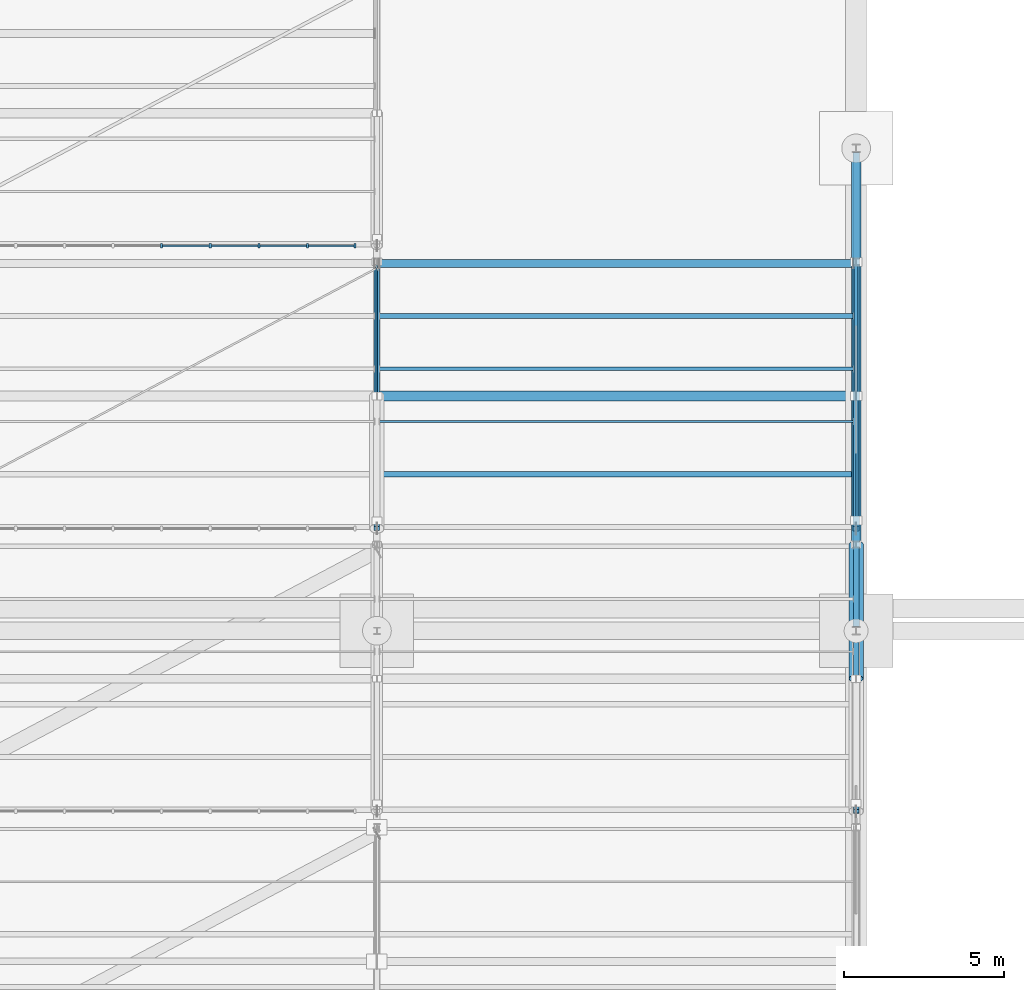
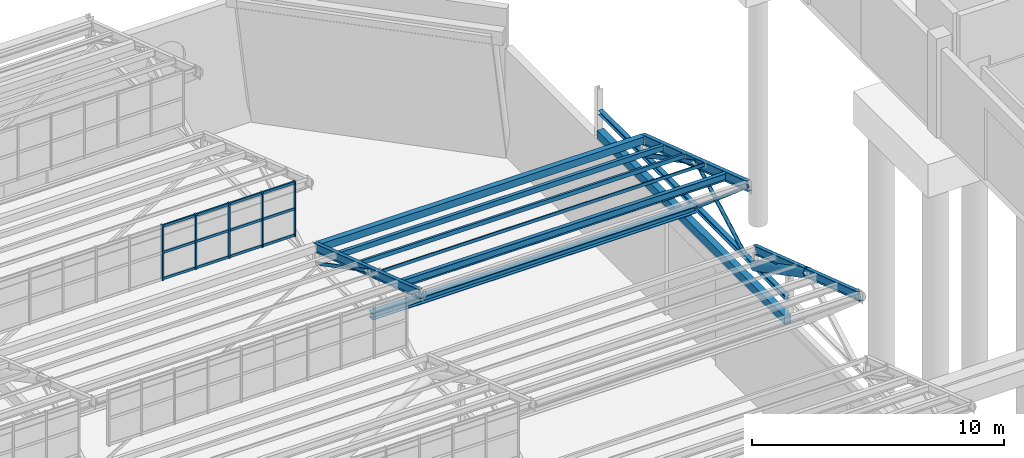
# One storey, part 125 of 285: 23 members, 10 beams, 1 element without a shape of its own.
"""IFC4 building model written with IfcOpenShell, lengths in metres."""

import ifcopenshell
import ifcopenshell.guid

model = None  # the IFC model being written
_history = None  # IfcOwnerHistory: only IFC2X3 demands one
_inside = {}  # id of a spatial element -> (the spatial element, [elements in it])
_under = {}  # id of a project, library or spatial element -> (it, [spatial elements below it])
_declared = {}  # id of a project -> (the project, [libraries it declares])
_typed = {}  # id of a type object -> (the type object, [elements of that type])
_made_of = {}  # id of a material, layer set ... -> (it, [elements and type objects made of it])


def new_model(schema):
    """Start an empty IFC model of exactly this schema.

    Asked for "IFC4X3", IfcOpenShell would pick the latest addendum, in which some entities
    have other attributes; the version numbers below select the first issue.
    IFC2X3 requires an IfcOwnerHistory on every rooted entity: one is made here for all.
    """
    global model, _history
    if schema == "IFC4X3":
        model = ifcopenshell.file(schema_version=(4, 3, 0, 0))
    else:
        model = ifcopenshell.file(schema=schema)
    _inside.clear()
    _under.clear()
    _declared.clear()
    _typed.clear()
    _made_of.clear()
    _history = None
    if model.schema == "IFC2X3":
        org = make("IfcOrganization", Name="unknown")
        user = make(
            "IfcPersonAndOrganization",
            ThePerson=make("IfcPerson", FamilyName="unknown"),
            TheOrganization=org,
        )
        app = make(
            "IfcApplication",
            ApplicationDeveloper=org,
            Version="unknown",
            ApplicationFullName="unknown",
            ApplicationIdentifier="unknown",
        )
        _history = make(
            "IfcOwnerHistory",
            OwningUser=user,
            OwningApplication=app,
            ChangeAction="ADDED",
            CreationDate=0,
        )
    return model


def make(cls, **values):
    """One entity of the class cls with the attributes given. An attribute that is None is left unset."""
    return model.create_entity(
        cls, **{name: value for name, value in values.items() if value is not None}
    )


def rooted(cls, **values):
    """An entity with a GlobalId (a new one), such as an element, a storey or a relation."""
    return make(cls, GlobalId=ifcopenshell.guid.new(), OwnerHistory=_history, **values)


def si_unit(unit_type, name, prefix=None):
    """IfcSIUnit, for example si_unit("LENGTHUNIT", "METRE", prefix="MILLI")."""
    return make("IfcSIUnit", UnitType=unit_type, Prefix=prefix, Name=name)


def assignment(units):
    """IfcUnitAssignment: the units of a project."""
    return None if units is None else make("IfcUnitAssignment", Units=units)


def point(xyz):
    """IfcCartesianPoint."""
    return None if xyz is None else make("IfcCartesianPoint", Coordinates=xyz)


def direction(xyz):
    """IfcDirection."""
    return None if xyz is None else make("IfcDirection", DirectionRatios=xyz)


def frame(location, z_axis=None, x_axis=None):
    """IfcAxis2Placement3D, a coordinate frame: its origin and axes. An axis left out is left unset."""
    return make(
        "IfcAxis2Placement3D",
        Location=point(location),
        Axis=direction(z_axis),
        RefDirection=direction(x_axis),
    )


def frame_2d(location, x_axis=None):
    """IfcAxis2Placement2D, a coordinate frame in the plane: its origin and x axis."""
    return make(
        "IfcAxis2Placement2D", Location=point(location), RefDirection=direction(x_axis)
    )


def origin():
    """The frame at (0, 0, 0) with its axes left unset."""
    return frame((0.0, 0.0, 0.0))


def origin_2d():
    """The frame at (0, 0) in the plane with its x axis left unset."""
    return frame_2d((0.0, 0.0))


def place(relative_to, where):
    """IfcLocalPlacement: puts the frame where relative to a parent placement (None: the world)."""
    return make(
        "IfcLocalPlacement", PlacementRelTo=relative_to, RelativePlacement=where
    )


def context(
    kind, dimensions, precision=None, world=None, true_north=None, identifier=None
):
    """IfcGeometricRepresentationContext, for example the 3D "Model" context."""
    return make(
        "IfcGeometricRepresentationContext",
        ContextIdentifier=identifier,
        ContextType=kind,
        CoordinateSpaceDimension=dimensions,
        Precision=precision,
        WorldCoordinateSystem=world,
        TrueNorth=true_north,
    )


def subcontext(parent, identifier, kind, view, scale=None):
    """IfcGeometricRepresentationSubContext, for example "Body" below "Model"."""
    return make(
        "IfcGeometricRepresentationSubContext",
        ContextIdentifier=identifier,
        ContextType=kind,
        ParentContext=parent,
        TargetScale=scale,
        TargetView=view,
    )


def project(units=None, contexts=None):
    """IfcProject with its units and contexts."""
    return rooted(
        "IfcProject",
        Name="project",
        RepresentationContexts=contexts,
        UnitsInContext=assignment(units),
    )


def spatial(cls, under=None, at=None, **own):
    """A site, building, storey or space (cls), placed at a placement, below another one or the project."""
    s = rooted(cls, ObjectPlacement=at, **own)
    if under is not None:
        _under.setdefault(under.id(), (under, []))[1].append(s)
    return s


def profile(cls, at=None, kind="AREA", **sizes):
    """A parametric profile (cls). Its sizes go by their IFC names, for example OverallWidth=200.0."""
    return make(cls, ProfileType=kind, Position=at, **sizes)


def rectangle(**sizes):
    """IfcRectangleProfileDef."""
    return profile("IfcRectangleProfileDef", **sizes)


def hollow_rectangle(**sizes):
    """IfcRectangleHollowProfileDef."""
    return profile("IfcRectangleHollowProfileDef", **sizes)


def hollow_circle(**sizes):
    """IfcCircleHollowProfileDef."""
    return profile("IfcCircleHollowProfileDef", **sizes)


def i_section(**sizes):
    """IfcIShapeProfileDef."""
    return profile("IfcIShapeProfileDef", **sizes)


def extrude(swept, where, along, depth):
    """IfcExtrudedAreaSolid: the profile swept, set in the frame where, extruded along a direction by depth."""
    return make(
        "IfcExtrudedAreaSolid",
        SweptArea=swept,
        Position=where,
        ExtrudedDirection=direction(along),
        Depth=depth,
    )


def shape(context_of_items, identifier, shape_type, items):
    """IfcShapeRepresentation: the items that make up one representation, for example the "Body"."""
    return make(
        "IfcShapeRepresentation",
        ContextOfItems=context_of_items,
        RepresentationIdentifier=identifier,
        RepresentationType=shape_type,
        Items=items,
    )


def material(Name=None, Category=None):
    """IfcMaterial."""
    return make("IfcMaterial", Name=Name, Category=Category)


def material_profile(
    of_material, cross_section, Name=None, Category=None, Priority=None
):
    """IfcMaterialProfile: a cross section and its material."""
    return make(
        "IfcMaterialProfile",
        Name=Name,
        Material=of_material,
        Profile=cross_section,
        Priority=Priority,
        Category=Category,
    )


def profile_set(profiles, Name=None, composite=None):
    """IfcMaterialProfileSet."""
    return make(
        "IfcMaterialProfileSet",
        Name=Name,
        MaterialProfiles=profiles,
        CompositeProfile=composite,
    )


def made_of(thing, what):
    """Note that an element or type object is made of a material, layer set ...; save() writes the relation."""
    if what is not None:
        _made_of.setdefault(what.id(), (what, []))[1].append(thing)
    return thing


def type_object(cls, material=None, **own):
    """A type object (cls), such as IfcWallType, which elements share."""
    return made_of(rooted(cls, **own), material)


def element(
    cls,
    number,
    at=None,
    inside=None,
    cuts=None,
    type_object=None,
    material=None,
    context=None,
    identifier="Body",
    shape_type=None,
    held_by="IfcProductDefinitionShape",
    body=None,
    shapes=None,
    **own,
):
    """One element of the class cls, such as IfcWall. Its Tag is "e" and its number.

    at: its placement. inside: the storey or other place that contains it. cuts: it is an
    opening in that element (IfcRelVoidsElement). A single representation is given by context,
    identifier, shape_type and body (its items); several are given by shapes. held_by: the class
    of the entity that holds the representations. save() writes the other relations.
    """
    e = rooted(cls, Tag="e%d" % number, ObjectPlacement=at, **own)
    if body is not None:
        shapes = [shape(context, identifier, shape_type, body)]
    if shapes is not None:
        e.Representation = make(held_by, Representations=shapes)
    if inside is not None:
        _inside.setdefault(inside.id(), (inside, []))[1].append(e)
    if cuts is not None:
        rooted(
            "IfcRelVoidsElement", RelatingBuildingElement=cuts, RelatedOpeningElement=e
        )
    if type_object is not None:
        _typed.setdefault(type_object.id(), (type_object, []))[1].append(e)
    return made_of(e, material)


def aggregate(whole, parts):
    """IfcRelAggregates: a whole, such as a stair, and the parts it consists of."""
    return rooted("IfcRelAggregates", RelatingObject=whole, RelatedObjects=parts)


def save(model, path):
    """Write the relations noted so far, then the file.

    IfcRelAggregates (storeys below a building ...), IfcRelContainedInSpatialStructure (elements
    in a storey), IfcRelDefinesByType, IfcRelAssociatesMaterial and IfcRelDeclares: one each for
    every whole, place, type object, material and project.
    """
    for whole, parts in _under.values():
        aggregate(whole, parts)
    for where, things in _inside.values():
        rooted(
            "IfcRelContainedInSpatialStructure",
            RelatedElements=things,
            RelatingStructure=where,
        )
    for kind, things in _typed.values():
        rooted("IfcRelDefinesByType", RelatedObjects=things, RelatingType=kind)
    for what, things in _made_of.values():
        rooted("IfcRelAssociatesMaterial", RelatedObjects=things, RelatingMaterial=what)
    for by, libraries in _declared.values():
        rooted("IfcRelDeclares", RelatingContext=by, RelatedDefinitions=libraries)
    model.write(path)


model = new_model("IFC4")

# Units and contexts
model_context = context("Model", 3, precision=1e-05, world=origin(), true_north=direction((0.0, 1.0)))
body_context = subcontext(model_context, "Body", "Model", "MODEL_VIEW")
ifc_project = project(units=[si_unit("LENGTHUNIT", "METRE"), si_unit("AREAUNIT", "SQUARE_METRE"), si_unit("VOLUMEUNIT", "CUBIC_METRE"), si_unit("PLANEANGLEUNIT", "RADIAN"), si_unit("MASSUNIT", "GRAM", prefix="KILO")], contexts=[model_context])

# Site, building, storey
site_placement = place(None, origin())
site = spatial("IfcSite", under=ifc_project, at=site_placement, CompositionType="ELEMENT")
building_placement = place(site_placement, origin())
building = spatial("IfcBuilding", under=site, at=building_placement, Name="Solanera Park Tramway Depot", CompositionType="ELEMENT")
storey_placement = place(building_placement, origin())
storey = spatial("IfcBuildingStorey", under=building, at=storey_placement, Name="L00", CompositionType="ELEMENT", Elevation=0.0)

# Curtain wall, members
ifc_material_1 = material(Name="Bronze-anodised thermally broken aluminium curtain wall", Category="aluminium")
curtain_wall_type = type_object("IfcCurtainWallType", Name="Sawtooth Clerestory Monitor Curtain Wall", PredefinedType="NOTDEFINED", material=ifc_material_1)
curtain_wall_placement = place(storey_placement, origin())
curtain_wall = element("IfcCurtainWall", 1, at=curtain_wall_placement, inside=storey, type_object=curtain_wall_type, Name="L00 Sawtooth Clerestory Monitor Curtain Wall #065", PredefinedType="NOTDEFINED")
ifc_material_2 = material(Name="Bronze-anodised structural aluminium 6063-T6", Category="aluminium")
ifc_material_profile_1 = material_profile(ifc_material_2, rectangle(XDim=0.06494140625, YDim=0.14990234375, at=origin_2d()), Name="Curtain Wall Mullion 65x150")
ifc_profile_set_1 = profile_set([ifc_material_profile_1], Name="Bronze-anodised structural aluminium 6063-T6")
member_type_1 = type_object("IfcMemberType", Name="Curtain Wall Mullion 65x150", PredefinedType="MULLION", material=ifc_profile_set_1)
member_1_placement = place(storey_placement, frame((128.260986328125, 126.550048828125, 7.75), z_axis=(0.0, 0.0, 1.0), x_axis=(1.0, 0.0, 0.0)))
member_1 = element("IfcMember", 2, at=member_1_placement, type_object=member_type_1, Name="CW-L00-065 Mullion 6", PredefinedType="MULLION", context=body_context, shape_type="SweptSolid", body=[
    extrude(rectangle(XDim=0.06494140625, YDim=0.14990234375, at=origin_2d()), origin(), (0.0, 0.0, 1.0), 2.6611328125),
])
member_2_placement = place(storey_placement, frame((129.783203125, 126.550048828125, 7.75), z_axis=(0.0, 0.0, 1.0), x_axis=(1.0, 0.0, 0.0)))
member_2 = element("IfcMember", 3, at=member_2_placement, type_object=member_type_1, Name="CW-L00-065 Mullion 7", PredefinedType="MULLION", context=body_context, shape_type="SweptSolid", body=[
    extrude(rectangle(XDim=0.06494140625, YDim=0.14990234375, at=origin_2d()), origin(), (0.0, 0.0, 1.0), 2.6611328125),
])
member_3_placement = place(storey_placement, frame((131.3056640625, 126.550048828125, 7.75), z_axis=(0.0, 0.0, 1.0), x_axis=(1.0, 0.0, 0.0)))
member_3 = element("IfcMember", 4, at=member_3_placement, type_object=member_type_1, Name="CW-L00-065 Mullion 8", PredefinedType="MULLION", context=body_context, shape_type="SweptSolid", body=[
    extrude(rectangle(XDim=0.06494140625, YDim=0.14990234375, at=origin_2d()), origin(), (0.0, 0.0, 1.0), 2.6611328125),
])
member_4_placement = place(storey_placement, frame((132.827880859375, 126.550048828125, 7.75), z_axis=(0.0, 0.0, 1.0), x_axis=(1.0, 0.0, 0.0)))
member_4 = element("IfcMember", 5, at=member_4_placement, type_object=member_type_1, Name="CW-L00-065 Mullion 9", PredefinedType="MULLION", context=body_context, shape_type="SweptSolid", body=[
    extrude(rectangle(XDim=0.06494140625, YDim=0.14990234375, at=origin_2d()), origin(), (0.0, 0.0, 1.0), 2.6611328125),
])
member_5_placement = place(storey_placement, frame((134.3173828125, 126.550048828125, 7.75), z_axis=(0.0, 0.0, 1.0), x_axis=(1.0, 0.0, 0.0)))
member_5 = element("IfcMember", 6, at=member_5_placement, type_object=member_type_1, Name="CW-L00-065 Mullion 10", PredefinedType="MULLION", context=body_context, shape_type="SweptSolid", body=[
    extrude(rectangle(XDim=0.06494140625, YDim=0.14990234375, at=origin_2d()), origin(), (0.0, 0.0, 1.0), 2.6611328125),
])
ifc_material_3 = material(Name="Bronze-anodised structural aluminium 6063-T6", Category="aluminium")
ifc_material_profile_2 = material_profile(ifc_material_3, rectangle(XDim=0.06494140625, YDim=0.1201171875, at=origin_2d()), Name="Curtain Wall Transom 65x120")
ifc_profile_set_2 = profile_set([ifc_material_profile_2], Name="Bronze-anodised structural aluminium 6063-T6")
member_type_2 = type_object("IfcMemberType", Name="Curtain Wall Transom 65x120", PredefinedType="USERDEFINED", material=ifc_profile_set_2)
member_6_placement = place(storey_placement, frame((128.2890625, 126.550048828125, 7.81005859375), z_axis=(1.0, 0.0, 0.0), x_axis=(0.0, 1.0, 0.0)))
member_6 = element("IfcMember", 7, at=member_6_placement, type_object=member_type_2, Name="CW-L00-065 Transom R1.C6", ObjectType="TRANSOM", PredefinedType="USERDEFINED", context=body_context, shape_type="SweptSolid", body=[
    extrude(rectangle(XDim=0.06494140625, YDim=0.1201171875, at=origin_2d()), origin(), (0.0, 0.0, 1.0), 1.46630859375),
])
member_7_placement = place(storey_placement, frame((129.811279296875, 126.550048828125, 7.81005859375), z_axis=(1.0, 0.0, 0.0), x_axis=(0.0, 1.0, 0.0)))
member_7 = element("IfcMember", 8, at=member_7_placement, type_object=member_type_2, Name="CW-L00-065 Transom R1.C7", ObjectType="TRANSOM", PredefinedType="USERDEFINED", context=body_context, shape_type="SweptSolid", body=[
    extrude(rectangle(XDim=0.06494140625, YDim=0.1201171875, at=origin_2d()), origin(), (0.0, 0.0, 1.0), 1.46630859375),
])
member_8_placement = place(storey_placement, frame((131.33349609375, 126.550048828125, 7.81005859375), z_axis=(1.0, 0.0, 0.0), x_axis=(0.0, 1.0, 0.0)))
member_8 = element("IfcMember", 9, at=member_8_placement, type_object=member_type_2, Name="CW-L00-065 Transom R1.C8", ObjectType="TRANSOM", PredefinedType="USERDEFINED", context=body_context, shape_type="SweptSolid", body=[
    extrude(rectangle(XDim=0.06494140625, YDim=0.1201171875, at=origin_2d()), origin(), (0.0, 0.0, 1.0), 1.46630859375),
])
member_9_placement = place(storey_placement, frame((132.855712890625, 126.550048828125, 7.81005859375), z_axis=(1.0, 0.0, 0.0), x_axis=(0.0, 1.0, 0.0)))
member_9 = element("IfcMember", 10, at=member_9_placement, type_object=member_type_2, Name="CW-L00-065 Transom R1.C9", ObjectType="TRANSOM", PredefinedType="USERDEFINED", context=body_context, shape_type="SweptSolid", body=[
    extrude(rectangle(XDim=0.06494140625, YDim=0.1201171875, at=origin_2d()), origin(), (0.0, 0.0, 1.0), 1.433837890625),
])
member_10_placement = place(storey_placement, frame((128.2890625, 126.550048828125, 9.08056640625), z_axis=(1.0, 0.0, 0.0), x_axis=(0.0, 1.0, 0.0)))
member_10 = element("IfcMember", 11, at=member_10_placement, type_object=member_type_2, Name="CW-L00-065 Transom R2.C6", ObjectType="TRANSOM", PredefinedType="USERDEFINED", context=body_context, shape_type="SweptSolid", body=[
    extrude(rectangle(XDim=0.06494140625, YDim=0.1201171875, at=origin_2d()), origin(), (0.0, 0.0, 1.0), 1.46630859375),
])
member_11_placement = place(storey_placement, frame((129.811279296875, 126.550048828125, 9.08056640625), z_axis=(1.0, 0.0, 0.0), x_axis=(0.0, 1.0, 0.0)))
member_11 = element("IfcMember", 12, at=member_11_placement, type_object=member_type_2, Name="CW-L00-065 Transom R2.C7", ObjectType="TRANSOM", PredefinedType="USERDEFINED", context=body_context, shape_type="SweptSolid", body=[
    extrude(rectangle(XDim=0.06494140625, YDim=0.1201171875, at=origin_2d()), origin(), (0.0, 0.0, 1.0), 1.46630859375),
])
member_12_placement = place(storey_placement, frame((131.33349609375, 126.550048828125, 9.08056640625), z_axis=(1.0, 0.0, 0.0), x_axis=(0.0, 1.0, 0.0)))
member_12 = element("IfcMember", 13, at=member_12_placement, type_object=member_type_2, Name="CW-L00-065 Transom R2.C8", ObjectType="TRANSOM", PredefinedType="USERDEFINED", context=body_context, shape_type="SweptSolid", body=[
    extrude(rectangle(XDim=0.06494140625, YDim=0.1201171875, at=origin_2d()), origin(), (0.0, 0.0, 1.0), 1.46630859375),
])
member_13_placement = place(storey_placement, frame((132.855712890625, 126.550048828125, 9.08056640625), z_axis=(1.0, 0.0, 0.0), x_axis=(0.0, 1.0, 0.0)))
member_13 = element("IfcMember", 14, at=member_13_placement, type_object=member_type_2, Name="CW-L00-065 Transom R2.C9", ObjectType="TRANSOM", PredefinedType="USERDEFINED", context=body_context, shape_type="SweptSolid", body=[
    extrude(rectangle(XDim=0.06494140625, YDim=0.1201171875, at=origin_2d()), origin(), (0.0, 0.0, 1.0), 1.433837890625),
])
member_14_placement = place(storey_placement, frame((128.2890625, 126.550048828125, 10.351318359375), z_axis=(1.0, 0.0, 0.0), x_axis=(0.0, 1.0, 0.0)))
member_14 = element("IfcMember", 15, at=member_14_placement, type_object=member_type_2, Name="CW-L00-065 Transom R3.C6", ObjectType="TRANSOM", PredefinedType="USERDEFINED", context=body_context, shape_type="SweptSolid", body=[
    extrude(rectangle(XDim=0.06494140625, YDim=0.1201171875, at=origin_2d()), origin(), (0.0, 0.0, 1.0), 1.46630859375),
])
member_15_placement = place(storey_placement, frame((129.811279296875, 126.550048828125, 10.351318359375), z_axis=(1.0, 0.0, 0.0), x_axis=(0.0, 1.0, 0.0)))
member_15 = element("IfcMember", 16, at=member_15_placement, type_object=member_type_2, Name="CW-L00-065 Transom R3.C7", ObjectType="TRANSOM", PredefinedType="USERDEFINED", context=body_context, shape_type="SweptSolid", body=[
    extrude(rectangle(XDim=0.06494140625, YDim=0.1201171875, at=origin_2d()), origin(), (0.0, 0.0, 1.0), 1.46630859375),
])
member_16_placement = place(storey_placement, frame((131.33349609375, 126.550048828125, 10.351318359375), z_axis=(1.0, 0.0, 0.0), x_axis=(0.0, 1.0, 0.0)))
member_16 = element("IfcMember", 17, at=member_16_placement, type_object=member_type_2, Name="CW-L00-065 Transom R3.C8", ObjectType="TRANSOM", PredefinedType="USERDEFINED", context=body_context, shape_type="SweptSolid", body=[
    extrude(rectangle(XDim=0.06494140625, YDim=0.1201171875, at=origin_2d()), origin(), (0.0, 0.0, 1.0), 1.46630859375),
])
member_17_placement = place(storey_placement, frame((132.855712890625, 126.550048828125, 10.351318359375), z_axis=(1.0, 0.0, 0.0), x_axis=(0.0, 1.0, 0.0)))
member_17 = element("IfcMember", 18, at=member_17_placement, type_object=member_type_2, Name="CW-L00-065 Transom R3.C9", ObjectType="TRANSOM", PredefinedType="USERDEFINED", context=body_context, shape_type="SweptSolid", body=[
    extrude(rectangle(XDim=0.06494140625, YDim=0.1201171875, at=origin_2d()), origin(), (0.0, 0.0, 1.0), 1.433837890625),
])
aggregate(curtain_wall, [member_1, member_2, member_3, member_4, member_5, member_6, member_7, member_8, member_9, member_10, member_11, member_12, member_13, member_14, member_15, member_16, member_17])

# Beam
ifc_material_4 = material(Name="Concrete N40 (C40/50)", Category="concrete")
ifc_material_profile_3 = material_profile(ifc_material_4, rectangle(XDim=0.300048828125, YDim=0.39990234375, at=origin_2d()), Name="LNT 300x400")
ifc_profile_set_3 = profile_set([ifc_material_profile_3], Name="Concrete N40 (C40/50)")
beam_type_1 = type_object("IfcBeamType", Name="Opening Lintel Beam LNT 300x400", PredefinedType="LINTEL", material=ifc_profile_set_3)
beam_1_placement = place(storey_placement, frame((150.0, 114.6201171875, 5.449951171875), z_axis=(0.0, 1.0, 0.0), x_axis=(-1.0, 0.0, 0.0)))
element("IfcBeam", 19, at=beam_1_placement, inside=storey, type_object=beam_type_1, Name="L00 Portal Transom Lintel LNT 300x400 #0301", PredefinedType="LINTEL", context=body_context, shape_type="SweptSolid", body=[
    extrude(rectangle(XDim=0.300048828125, YDim=0.39990234375, at=origin_2d()), origin(), (0.0, 0.0, 1.0), 14.85986328125),
])

# Members
ifc_material_5 = material(Name="Steel AS/NZS 1163 Grade C350L0", Category="steel")
ifc_material_profile_4 = material_profile(ifc_material_5, hollow_circle(Radius=0.084228515625, WallThickness=0.00634765625, at=origin_2d()), Name="168.3x6.4 CHS")
ifc_profile_set_4 = profile_set([ifc_material_profile_4], Name="Steel AS/NZS 1163 Grade C350L0")
member_type_3 = type_object("IfcMemberType", Name="Roof Gantry Compression Strut 168.3x6.4 CHS", PredefinedType="STRUT", material=ifc_profile_set_4)
member_18_placement = place(storey_placement, frame((150.0, 117.949951171875, 6.5), z_axis=(0.0, 0.874087581692, 0.485768359954), x_axis=(-1.0, 0.0, 0.0)))
element("IfcMember", 20, at=member_18_placement, inside=storey, type_object=member_type_3, Name="Sawtooth ROOF TRUSS Strut 168.3x6.4 CHS #0352", PredefinedType="STRUT", context=body_context, shape_type="SweptSolid", body=[
    extrude(hollow_circle(Radius=0.084228515625, WallThickness=0.00634765625, at=origin_2d()), origin(), (0.0, 0.0, 1.0), 4.4619140625),
])
ifc_material_6 = material(Name="Steel AS/NZS 3679.1 Grade 350", Category="steel")
ifc_material_profile_5 = material_profile(ifc_material_6, i_section(OverallWidth=0.310546875, OverallDepth=0.3271484375, WebThickness=0.015625, FlangeThickness=0.02490234375, at=origin_2d()), Name="310UC158")
ifc_profile_set_5 = profile_set([ifc_material_profile_5], Name="Steel AS/NZS 3679.1 Grade 350")
member_type_4 = type_object("IfcMemberType", Name="Secondary Truss Chord 310UC158", PredefinedType="CHORD", material=ifc_profile_set_5)
member_19_placement = place(storey_placement, frame((135.087890625, 121.85009765625, 6.5), z_axis=(1.0, 0.0, 0.0), x_axis=(0.0, 1.0, 0.0)))
element("IfcMember", 21, at=member_19_placement, inside=storey, type_object=member_type_4, Name="Sawtooth Longitudinal Tie Chord 310UC158 #0366", PredefinedType="CHORD", context=body_context, shape_type="SweptSolid", body=[
    extrude(i_section(OverallWidth=0.310546875, OverallDepth=0.3271484375, WebThickness=0.015625, FlangeThickness=0.02490234375, at=origin_2d()), origin(), (0.0, 0.0, 1.0), 14.82421875),
])

# Beams
ifc_material_7 = material(Name="Steel AS/NZS 3679.1 Grade 350", Category="steel")
ifc_material_profile_6 = material_profile(ifc_material_7, i_section(OverallWidth=0.205078125, OverallDepth=0.209716796875, WebThickness=0.00927734375, FlangeThickness=0.01416015625, at=origin_2d()), Name="200UC59.5")
ifc_profile_set_6 = profile_set([ifc_material_profile_6], Name="Steel AS/NZS 3679.1 Grade 350")
beam_type_2 = type_object("IfcBeamType", Name="Steel Beam 200UC59.5", PredefinedType="BEAM", material=ifc_profile_set_6)
beam_2_placement = place(storey_placement, frame((150.0, 114.627685546875, 6.5), z_axis=(0.0, 1.0, 0.0), x_axis=(-1.0, 0.0, 0.0)))
element("IfcBeam", 22, at=beam_2_placement, inside=storey, type_object=beam_type_2, Name="Sawtooth ROOF TRUSS Bottom Chord 200UC59.5 #0400", PredefinedType="BEAM", context=body_context, shape_type="SweptSolid", body=[
    extrude(i_section(OverallWidth=0.205078125, OverallDepth=0.209716796875, WebThickness=0.00927734375, FlangeThickness=0.01416015625, at=origin_2d()), origin(), (0.0, 0.0, 1.0), 14.845458984375),
])
ifc_material_8 = material(Name="Steel AS/NZS 3679.1 Grade 350", Category="steel")
ifc_material_profile_7 = material_profile(ifc_material_8, i_section(OverallWidth=0.177734375, OverallDepth=0.406494140625, WebThickness=0.0078125, FlangeThickness=0.0126953125, at=origin_2d()), Name="410UB59.7")
ifc_profile_set_7 = profile_set([ifc_material_profile_7], Name="Steel AS/NZS 3679.1 Grade 350")
beam_type_3 = type_object("IfcBeamType", Name="Steel Beam 410UB59.7", PredefinedType="BEAM", material=ifc_profile_set_7)
beam_3_placement = place(storey_placement, frame((150.0, 108.85009765625, 10.08154296875), z_axis=(0.0, 0.948319437663, -0.317317261034), x_axis=(-1.0, 0.0, 0.0)))
element("IfcBeam", 23, at=beam_3_placement, inside=storey, type_object=beam_type_3, Name="Sawtooth ROOF TRUSS Top Rafter 410UB59.7 B07-T11", PredefinedType="BEAM", context=body_context, shape_type="SweptSolid", body=[
    extrude(i_section(OverallWidth=0.177734375, OverallDepth=0.406494140625, WebThickness=0.0078125, FlangeThickness=0.0126953125, at=origin_2d()), origin(), (0.0, 0.0, 1.0), 8.804931640625),
])
beam_4_placement = place(storey_placement, frame((135.0, 117.699951171875, 10.08154296875), z_axis=(0.0, 0.948322229475, -0.317308917435), x_axis=(-1.0, 0.0, 0.0)))
element("IfcBeam", 24, at=beam_4_placement, inside=storey, type_object=beam_type_3, Name="Sawtooth ROOF TRUSS Top Rafter 410UB59.7 B08-T10", PredefinedType="BEAM", context=body_context, shape_type="SweptSolid", body=[
    extrude(i_section(OverallWidth=0.177734375, OverallDepth=0.406494140625, WebThickness=0.0078125, FlangeThickness=0.0126953125, at=origin_2d()), origin(), (0.0, 0.0, 1.0), 8.80517578125),
])
ifc_material_9 = material(Name="Steel AS/NZS 3679.1 Grade 350", Category="steel")
ifc_material_profile_8 = material_profile(ifc_material_9, i_section(OverallWidth=0.1904296875, OverallDepth=0.45751953125, WebThickness=0.009033203125, FlangeThickness=0.014404296875, at=origin_2d()), Name="460UB74.6")
ifc_profile_set_8 = profile_set([ifc_material_profile_8], Name="Steel AS/NZS 3679.1 Grade 350")
beam_type_4 = type_object("IfcBeamType", Name="Steel Beam 460UB74.6", PredefinedType="BEAM", material=ifc_profile_set_8)
beam_5_placement = place(storey_placement, frame((150.0, 117.699951171875, 10.05615234375), z_axis=(0.0, 0.948322229475, -0.317308917435), x_axis=(-1.0, 0.0, 0.0)))
element("IfcBeam", 25, at=beam_5_placement, inside=storey, type_object=beam_type_4, Name="Sawtooth ROOF TRUSS Top Rafter 460UB74.6 B08-T11", PredefinedType="BEAM", context=body_context, shape_type="SweptSolid", body=[
    extrude(i_section(OverallWidth=0.1904296875, OverallDepth=0.45751953125, WebThickness=0.009033203125, FlangeThickness=0.014404296875, at=origin_2d()), origin(), (0.0, 0.0, 1.0), 8.80517578125),
])
ifc_material_10 = material(Name="Steel AS/NZS 1163 Grade C350L0", Category="steel")
ifc_material_profile_9 = material_profile(ifc_material_10, hollow_rectangle(XDim=0.050048828125, YDim=0.14990234375, WallThickness=0.0048828125, at=origin_2d()), Name="150x50x5.0 RHS")
ifc_profile_set_9 = profile_set([ifc_material_profile_9], Name="Steel AS/NZS 1163 Grade C350L0")
beam_type_5 = type_object("IfcBeamType", Name="Steel Joist Purlin 150x50x5.0 RHS", PredefinedType="JOIST", material=ifc_profile_set_9)
beam_6_placement = place(storey_placement, frame((135.080810546875, 121.050048828125, 9.1025390625), z_axis=(1.0, 0.0, 0.0), x_axis=(0.0, 1.0, 0.0)))
element("IfcBeam", 26, at=beam_6_placement, inside=storey, type_object=beam_type_5, Name="Sawtooth Roof Purlin 150x50x5.0 RHS B08.3", PredefinedType="JOIST", context=body_context, shape_type="SweptSolid", body=[
    extrude(hollow_rectangle(XDim=0.050048828125, YDim=0.14990234375, WallThickness=0.0048828125, at=origin_2d()), origin(), (0.0, 0.0, 1.0), 14.83203125),
])
ifc_material_11 = material(Name="Steel AS/NZS 1163 Grade C350L0", Category="steel")
ifc_material_profile_10 = material_profile(ifc_material_11, hollow_rectangle(XDim=0.10009765625, YDim=0.199951171875, WallThickness=0.006103515625, at=origin_2d()), Name="200x100x6.0 RHS")
ifc_profile_set_10 = profile_set([ifc_material_profile_10], Name="Steel AS/NZS 1163 Grade C350L0")
beam_type_6 = type_object("IfcBeamType", Name="Steel Joist Purlin 200x100x6.0 RHS", PredefinedType="JOIST", material=ifc_profile_set_10)
beam_7_placement = place(storey_placement, frame((135.080810546875, 122.699951171875, 8.51708984375), z_axis=(1.0, 0.0, 0.0), x_axis=(0.0, 1.0, 0.0)))
element("IfcBeam", 27, at=beam_7_placement, inside=storey, type_object=beam_type_6, Name="Sawtooth Roof Purlin 200x100x6.0 RHS B08.4", PredefinedType="JOIST", context=body_context, shape_type="SweptSolid", body=[
    extrude(hollow_rectangle(XDim=0.10009765625, YDim=0.199951171875, WallThickness=0.006103515625, at=origin_2d()), origin(), (0.0, 0.0, 1.0), 14.83203125),
])
ifc_material_12 = material(Name="Steel AS/NZS 1163 Grade C350L0", Category="steel")
ifc_material_profile_11 = material_profile(ifc_material_12, hollow_rectangle(XDim=0.14990234375, YDim=0.25, WallThickness=0.008056640625, at=origin_2d()), Name="250x150x8.0 RHS")
ifc_profile_set_11 = profile_set([ifc_material_profile_11], Name="Steel AS/NZS 1163 Grade C350L0")
beam_type_7 = type_object("IfcBeamType", Name="Steel Joist Purlin 250x150x8.0 RHS", PredefinedType="JOIST", material=ifc_profile_set_11)
beam_8_placement = place(storey_placement, frame((135.080810546875, 124.35009765625, 7.931640625), z_axis=(1.0, 0.0, 0.0), x_axis=(0.0, 1.0, 0.0)))
element("IfcBeam", 28, at=beam_8_placement, inside=storey, type_object=beam_type_7, Name="Sawtooth Roof Purlin 250x150x8.0 RHS B08.5", PredefinedType="JOIST", context=body_context, shape_type="SweptSolid", body=[
    extrude(hollow_rectangle(XDim=0.14990234375, YDim=0.25, WallThickness=0.008056640625, at=origin_2d()), origin(), (0.0, 0.0, 1.0), 14.83203125),
])
ifc_material_13 = material(Name="Steel AS/NZS 1163 Grade C350L0", Category="steel")
ifc_material_profile_12 = material_profile(ifc_material_13, hollow_rectangle(XDim=0.25, YDim=0.35009765625, WallThickness=0.010009765625, at=origin_2d()), Name="350x250x10.0 RHS")
ifc_profile_set_12 = profile_set([ifc_material_profile_12], Name="Steel AS/NZS 1163 Grade C350L0")
beam_type_8 = type_object("IfcBeamType", Name="Steel Joist Purlin 350x250x10.0 RHS", PredefinedType="JOIST", material=ifc_profile_set_12)
beam_9_placement = place(storey_placement, frame((135.080810546875, 126.0, 7.312744140625), z_axis=(1.0, 0.0, 0.0), x_axis=(0.0, 1.0, 0.0)))
element("IfcBeam", 29, at=beam_9_placement, inside=storey, type_object=beam_type_8, Name="Sawtooth Roof Purlin 350x250x10.0 RHS B08.6", PredefinedType="JOIST", context=body_context, shape_type="SweptSolid", body=[
    extrude(hollow_rectangle(XDim=0.25, YDim=0.35009765625, WallThickness=0.010009765625, at=origin_2d()), origin(), (0.0, 0.0, 1.0), 14.83203125),
])
ifc_material_14 = material(Name="Steel AS/NZS 3679.1 Grade 350", Category="steel")
ifc_material_profile_13 = material_profile(ifc_material_14, i_section(OverallWidth=0.17138671875, OverallDepth=0.355712890625, WebThickness=0.00732421875, FlangeThickness=0.011474609375, at=origin_2d()), Name="360UB50.7")
ifc_profile_set_13 = profile_set([ifc_material_profile_13], Name="Steel AS/NZS 3679.1 Grade 350")
beam_type_9 = type_object("IfcBeamType", Name="Steel Joist Purlin 360UB50.7", PredefinedType="JOIST", material=ifc_profile_set_13)
beam_10_placement = place(storey_placement, frame((135.080810546875, 119.39990234375, 9.531494140625), z_axis=(1.0, 0.0, 0.0), x_axis=(0.0, 1.0, 0.0)))
element("IfcBeam", 30, at=beam_10_placement, inside=storey, type_object=beam_type_9, Name="Sawtooth Roof Purlin 360UB50.7 B08.2", PredefinedType="JOIST", context=body_context, shape_type="SweptSolid", body=[
    extrude(i_section(OverallWidth=0.17138671875, OverallDepth=0.355712890625, WebThickness=0.00732421875, FlangeThickness=0.011474609375, at=origin_2d()), origin(), (0.0, 0.0, 1.0), 14.83203125),
])

# Members
ifc_material_15 = material(Name="Steel AS/NZS 1163 Grade C350L0", Category="steel")
ifc_material_profile_14 = material_profile(ifc_material_15, hollow_rectangle(XDim=0.050048828125, YDim=0.14990234375, WallThickness=0.0048828125, at=origin_2d()), Name="150x50x5.0 RHS")
ifc_profile_set_14 = profile_set([ifc_material_profile_14], Name="Steel AS/NZS 1163 Grade C350L0")
member_type_5 = type_object("IfcMemberType", Name="Truss and Frame Brace 150x50x5.0 RHS", PredefinedType="BRACE", material=ifc_profile_set_14)
member_20_placement = place(storey_placement, frame((135.0, 126.050048828125, 6.5), z_axis=(0.0, -0.886425847493, 0.462870626521), x_axis=(1.0, 0.0, 0.0)))
element("IfcMember", 31, at=member_20_placement, inside=storey, type_object=member_type_5, Name="Sawtooth ROOF TRUSS Diagonal 150x50x5.0 RHS #0348", PredefinedType="BRACE", context=body_context, shape_type="SweptSolid", body=[
    extrude(hollow_rectangle(XDim=0.050048828125, YDim=0.14990234375, WallThickness=0.0048828125, at=origin_2d()), origin(), (0.0, 0.0, 1.0), 4.738037109375),
])
member_21_placement = place(storey_placement, frame((150.0, 121.85009765625, 6.5), z_axis=(0.0, -0.759357496503, 0.650673645159), x_axis=(1.0, 0.0, 0.0)))
element("IfcMember", 32, at=member_21_placement, inside=storey, type_object=member_type_5, Name="Sawtooth ROOF TRUSS Web Brace 150x50x5.0 RHS #0350", PredefinedType="BRACE", context=body_context, shape_type="SweptSolid", body=[
    extrude(hollow_rectangle(XDim=0.050048828125, YDim=0.14990234375, WallThickness=0.0048828125, at=origin_2d()), origin(), (0.0, 0.0, 1.0), 5.46533203125),
])
ifc_material_16 = material(Name="Steel AS/NZS 1163 Grade C350L0", Category="steel")
ifc_material_profile_15 = material_profile(ifc_material_16, hollow_rectangle(XDim=0.10009765625, YDim=0.199951171875, WallThickness=0.006103515625, at=origin_2d()), Name="200x100x6.0 RHS")
ifc_profile_set_15 = profile_set([ifc_material_profile_15], Name="Steel AS/NZS 1163 Grade C350L0")
member_type_6 = type_object("IfcMemberType", Name="Truss and Frame Brace 200x100x6.0 RHS", PredefinedType="BRACE", material=ifc_profile_set_15)
member_22_placement = place(storey_placement, frame((150.0, 126.050048828125, 6.5), z_axis=(0.0, -0.888641030015, 0.458603445008), x_axis=(1.0, 0.0, 0.0)))
element("IfcMember", 33, at=member_22_placement, inside=storey, type_object=member_type_6, Name="Sawtooth ROOF TRUSS Diagonal 200x100x6.0 RHS #0351", PredefinedType="BRACE", context=body_context, shape_type="SweptSolid", body=[
    extrude(hollow_rectangle(XDim=0.10009765625, YDim=0.199951171875, WallThickness=0.006103515625, at=origin_2d()), origin(), (0.0, 0.0, 1.0), 4.726318359375),
])
ifc_material_17 = material(Name="Steel AS/NZS 1163 Grade C350L0", Category="steel")
ifc_material_profile_16 = material_profile(ifc_material_17, hollow_circle(Radius=0.228515625, WallThickness=0.0126953125, at=origin_2d()), Name="457.0x12.7 CHS")
ifc_profile_set_16 = profile_set([ifc_material_profile_16], Name="Steel AS/NZS 1163 Grade C350L0")
member_type_7 = type_object("IfcMemberType", Name="Truss and Frame Brace 457.0x12.7 CHS", PredefinedType="BRACE", material=ifc_profile_set_16)
member_23_placement = place(storey_placement, frame((150.0, 117.199951171875, 6.5), z_axis=(0.0, -0.886425847493, 0.462870626521), x_axis=(1.0, 0.0, 0.0)))
element("IfcMember", 34, at=member_23_placement, inside=storey, type_object=member_type_7, Name="Sawtooth ROOF TRUSS Diagonal 457.0x12.7 CHS #0304", PredefinedType="BRACE", context=body_context, shape_type="SweptSolid", body=[
    extrude(hollow_circle(Radius=0.228515625, WallThickness=0.0126953125, at=origin_2d()), origin(), (0.0, 0.0, 1.0), 4.738037109375),
])

save(model, "model.ifc")
